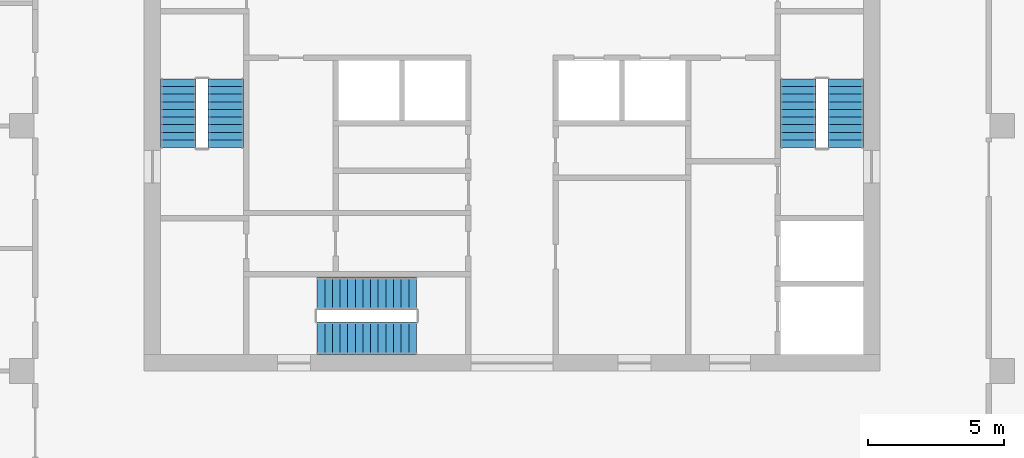
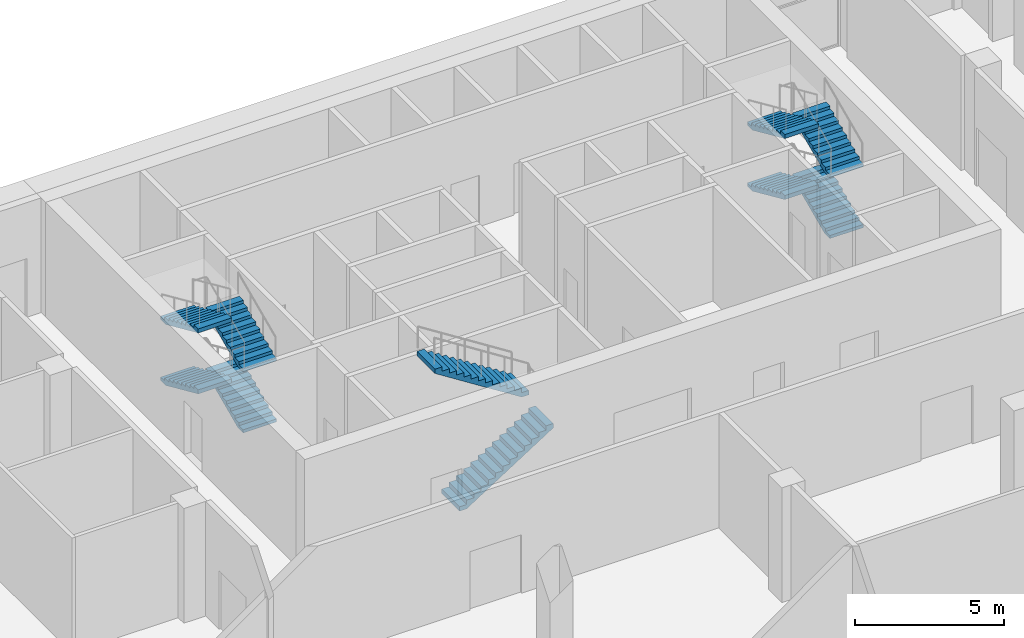
# One storey, part 10 of 14: 10 stair flights, 3 elements without a shape of their own.
"""IFC4 building model written with IfcOpenShell, lengths in metres."""

from ifc_helpers import new_model, si_unit, direction, frame, origin, place, context, subcontext, project, spatial, polyline, outline, extrude, material, type_object, element, aggregate, save


model = new_model("IFC4")

# Units and contexts
model_context = context("Model", 3, precision=1e-05, world=origin(), true_north=direction((0.0, 1.0)))
body_context = subcontext(model_context, "Body", "Model", "MODEL_VIEW")
ifc_project = project(units=[si_unit("LENGTHUNIT", "METRE"), si_unit("AREAUNIT", "SQUARE_METRE"), si_unit("VOLUMEUNIT", "CUBIC_METRE"), si_unit("PLANEANGLEUNIT", "RADIAN"), si_unit("MASSUNIT", "GRAM", prefix="KILO")], contexts=[model_context])

# Site, building, storey
site_placement = place(None, origin())
site = spatial("IfcSite", under=ifc_project, at=site_placement, CompositionType="ELEMENT")
building_placement = place(site_placement, origin())
building = spatial("IfcBuilding", under=site, at=building_placement, Name="Orbiselva Terraces", CompositionType="ELEMENT")
storey_placement = place(building_placement, frame((0.0, 0.0, 284.4)))
storey = spatial("IfcBuildingStorey", under=building, at=storey_placement, Name="L72", CompositionType="ELEMENT", Elevation=284.4)

# Stair, stair flights
ifc_material = material(Name="Concrete C40/50", Category="concrete")
stair_type_1 = type_object("IfcStairType", Name="CORE-STAIR-1200", PredefinedType="HALF_TURN_STAIR", material=ifc_material)
stair_1_placement = place(storey_placement, origin())
stair_1 = element("IfcStair", 1, at=stair_1_placement, inside=storey, type_object=stair_type_1, Name="L72 Exit Stair S3", PredefinedType="HALF_TURN_STAIR")
stair_flight_type_1 = type_object("IfcStairFlightType", Name="CORE-STAIR-FLIGHT-1200", PredefinedType="STRAIGHT", material=ifc_material)
stair_flight_1_placement = place(storey_placement, frame((-7.15, 5.7, 0.0), z_axis=(0.0, 0.0, 1.0), x_axis=(1.0, 0.0, 0.0)))
stair_flight_1 = element("IfcStairFlight", 2, at=stair_flight_1_placement, type_object=stair_flight_type_1, Name="S3 flight 1", NumberOfRisers=14, NumberOfTreads=13, PredefinedType="STRAIGHT", RiserHeight=0.178571429, TreadLength=0.28, context=body_context, shape_type="SweptSolid", body=[
    extrude(outline(polyline([(0.0, 0.0), (0.0, 0.178571), (0.28, 0.178571), (0.28, 0.357143), (0.56, 0.357143), (0.56, 0.535714), (0.84, 0.535714), (0.84, 0.714286), (1.12, 0.714286), (1.12, 0.892857), (1.4, 0.892857), (1.4, 1.071429), (1.68, 1.071429), (1.68, 1.25), (1.96, 1.25), (1.96, 1.428571), (2.24, 1.428571), (2.24, 1.607143), (2.52, 1.607143), (2.52, 1.785714), (2.8, 1.785714), (2.8, 1.964286), (3.08, 1.964286), (3.08, 2.142857), (3.36, 2.142857), (3.36, 2.321429), (3.64, 2.321429), (3.64, 2.5), (3.64, 2.14352), (0.278961, 0.0), (0.0, 0.0)])), frame((0.0, 0.6, 0.0), z_axis=(0.0, -1.0, 0.0), x_axis=(1.0, 0.0, 0.0)), (0.0, 0.0, 1.0), 1.2),
])
stair_flight_2_placement = place(storey_placement, frame((-3.51, 7.35, 2.5), z_axis=(0.0, 0.0, 1.0), x_axis=(-1.0, 0.0, 0.0)))
stair_flight_2 = element("IfcStairFlight", 3, at=stair_flight_2_placement, type_object=stair_flight_type_1, Name="S3 flight 2", NumberOfRisers=14, NumberOfTreads=13, PredefinedType="STRAIGHT", RiserHeight=0.178571429, TreadLength=0.28, context=body_context, shape_type="SweptSolid", body=[
    extrude(outline(polyline([(0.0, 0.0), (0.0, 0.178571), (0.28, 0.178571), (0.28, 0.357143), (0.56, 0.357143), (0.56, 0.535714), (0.84, 0.535714), (0.84, 0.714286), (1.12, 0.714286), (1.12, 0.892857), (1.4, 0.892857), (1.4, 1.071429), (1.68, 1.071429), (1.68, 1.25), (1.96, 1.25), (1.96, 1.428571), (2.24, 1.428571), (2.24, 1.607143), (2.52, 1.607143), (2.52, 1.785714), (2.8, 1.785714), (2.8, 1.964286), (3.08, 1.964286), (3.08, 2.142857), (3.36, 2.142857), (3.36, 2.321429), (3.64, 2.321429), (3.64, 2.5), (3.64, 2.14352), (0.278961, 0.0), (0.0, 0.0)])), frame((0.0, 0.6, 0.0), z_axis=(0.0, -1.0, 0.0), x_axis=(1.0, 0.0, 0.0)), (0.0, 0.0, 1.0), 1.2),
])
aggregate(stair_1, [stair_flight_1, stair_flight_2])

stair_type_2 = type_object("IfcStairType", Name="CORE-STAIR-1300", PredefinedType="HALF_TURN_STAIR", material=ifc_material)
stair_2_placement = place(storey_placement, origin())
stair_2 = element("IfcStair", 4, at=stair_2_placement, inside=storey, type_object=stair_type_2, Name="L72 Exit Stair S1", PredefinedType="HALF_TURN_STAIR")
stair_flight_type_2 = type_object("IfcStairFlightType", Name="CORE-STAIR-FLIGHT-1300", PredefinedType="STRAIGHT", material=ifc_material)
stair_flight_3_placement = place(storey_placement, frame((-10.5, 12.7, 0.0), z_axis=(0.0, 0.0, 1.0), x_axis=(0.0, 1.0, 0.0)))
stair_flight_3 = element("IfcStairFlight", 5, at=stair_flight_3_placement, type_object=stair_flight_type_2, Name="S1 flight 1", NumberOfRisers=10, NumberOfTreads=9, PredefinedType="STRAIGHT", RiserHeight=0.125, TreadLength=0.28, context=body_context, shape_type="SweptSolid", body=[
    extrude(outline(polyline([(0.0, 0.0), (0.0, 0.125), (0.28, 0.125), (0.28, 0.25), (0.56, 0.25), (0.56, 0.375), (0.84, 0.375), (0.84, 0.5), (1.12, 0.5), (1.12, 0.625), (1.4, 0.625), (1.4, 0.75), (1.68, 0.75), (1.68, 0.875), (1.96, 0.875), (1.96, 1.0), (2.24, 1.0), (2.24, 1.125), (2.52, 1.125), (2.52, 1.25), (2.52, 0.960731), (0.367962, 0.0), (0.0, 0.0)])), frame((0.0, 0.65, 0.0), z_axis=(0.0, -1.0, 0.0), x_axis=(1.0, 0.0, 0.0)), (0.0, 0.0, 1.0), 1.3),
])
stair_flight_4_placement = place(storey_placement, frame((-12.25, 15.22, 1.25), z_axis=(0.0, 0.0, 1.0), x_axis=(0.0, -1.0, 0.0)))
stair_flight_4 = element("IfcStairFlight", 6, at=stair_flight_4_placement, type_object=stair_flight_type_2, Name="S1 flight 2", NumberOfRisers=10, NumberOfTreads=9, PredefinedType="STRAIGHT", RiserHeight=0.125, TreadLength=0.28, context=body_context, shape_type="SweptSolid", body=[
    extrude(outline(polyline([(0.0, 0.0), (0.0, 0.125), (0.28, 0.125), (0.28, 0.25), (0.56, 0.25), (0.56, 0.375), (0.84, 0.375), (0.84, 0.5), (1.12, 0.5), (1.12, 0.625), (1.4, 0.625), (1.4, 0.75), (1.68, 0.75), (1.68, 0.875), (1.96, 0.875), (1.96, 1.0), (2.24, 1.0), (2.24, 1.125), (2.52, 1.125), (2.52, 1.25), (2.52, 0.960731), (0.367962, 0.0), (0.0, 0.0)])), frame((0.0, 0.65, 0.0), z_axis=(0.0, -1.0, 0.0), x_axis=(1.0, 0.0, 0.0)), (0.0, 0.0, 1.0), 1.3),
])
stair_flight_5_placement = place(storey_placement, frame((-10.5, 12.7, 2.5), z_axis=(0.0, 0.0, 1.0), x_axis=(0.0, 1.0, 0.0)))
stair_flight_5 = element("IfcStairFlight", 7, at=stair_flight_5_placement, type_object=stair_flight_type_2, Name="S1 flight 3", NumberOfRisers=10, NumberOfTreads=9, PredefinedType="STRAIGHT", RiserHeight=0.125, TreadLength=0.28, context=body_context, shape_type="SweptSolid", body=[
    extrude(outline(polyline([(0.0, 0.0), (0.0, 0.125), (0.28, 0.125), (0.28, 0.25), (0.56, 0.25), (0.56, 0.375), (0.84, 0.375), (0.84, 0.5), (1.12, 0.5), (1.12, 0.625), (1.4, 0.625), (1.4, 0.75), (1.68, 0.75), (1.68, 0.875), (1.96, 0.875), (1.96, 1.0), (2.24, 1.0), (2.24, 1.125), (2.52, 1.125), (2.52, 1.25), (2.52, 0.960731), (0.367962, 0.0), (0.0, 0.0)])), frame((0.0, 0.65, 0.0), z_axis=(0.0, -1.0, 0.0), x_axis=(1.0, 0.0, 0.0)), (0.0, 0.0, 1.0), 1.3),
])
stair_flight_6_placement = place(storey_placement, frame((-12.25, 15.22, 3.75), z_axis=(0.0, 0.0, 1.0), x_axis=(0.0, -1.0, 0.0)))
stair_flight_6 = element("IfcStairFlight", 8, at=stair_flight_6_placement, type_object=stair_flight_type_2, Name="S1 flight 4", NumberOfRisers=10, NumberOfTreads=9, PredefinedType="STRAIGHT", RiserHeight=0.125, TreadLength=0.28, context=body_context, shape_type="SweptSolid", body=[
    extrude(outline(polyline([(0.0, 0.0), (0.0, 0.125), (0.28, 0.125), (0.28, 0.25), (0.56, 0.25), (0.56, 0.375), (0.84, 0.375), (0.84, 0.5), (1.12, 0.5), (1.12, 0.625), (1.4, 0.625), (1.4, 0.75), (1.68, 0.75), (1.68, 0.875), (1.96, 0.875), (1.96, 1.0), (2.24, 1.0), (2.24, 1.125), (2.52, 1.125), (2.52, 1.25), (2.52, 0.960731), (0.367962, 0.0), (0.0, 0.0)])), frame((0.0, 0.65, 0.0), z_axis=(0.0, -1.0, 0.0), x_axis=(1.0, 0.0, 0.0)), (0.0, 0.0, 1.0), 1.3),
])
aggregate(stair_2, [stair_flight_3, stair_flight_4, stair_flight_5, stair_flight_6])

stair_3_placement = place(storey_placement, origin())
stair_3 = element("IfcStair", 9, at=stair_3_placement, inside=storey, type_object=stair_type_2, Name="L72 Exit Stair S2", PredefinedType="HALF_TURN_STAIR")
stair_flight_7_placement = place(storey_placement, frame((12.25, 12.7, 0.0), z_axis=(0.0, 0.0, 1.0), x_axis=(0.0, 1.0, 0.0)))
stair_flight_7 = element("IfcStairFlight", 10, at=stair_flight_7_placement, type_object=stair_flight_type_2, Name="S2 flight 1", NumberOfRisers=10, NumberOfTreads=9, PredefinedType="STRAIGHT", RiserHeight=0.125, TreadLength=0.28, context=body_context, shape_type="SweptSolid", body=[
    extrude(outline(polyline([(0.0, 0.0), (0.0, 0.125), (0.28, 0.125), (0.28, 0.25), (0.56, 0.25), (0.56, 0.375), (0.84, 0.375), (0.84, 0.5), (1.12, 0.5), (1.12, 0.625), (1.4, 0.625), (1.4, 0.75), (1.68, 0.75), (1.68, 0.875), (1.96, 0.875), (1.96, 1.0), (2.24, 1.0), (2.24, 1.125), (2.52, 1.125), (2.52, 1.25), (2.52, 0.960731), (0.367962, 0.0), (0.0, 0.0)])), frame((0.0, 0.65, 0.0), z_axis=(0.0, -1.0, 0.0), x_axis=(1.0, 0.0, 0.0)), (0.0, 0.0, 1.0), 1.3),
])
stair_flight_8_placement = place(storey_placement, frame((10.5, 15.22, 1.25), z_axis=(0.0, 0.0, 1.0), x_axis=(0.0, -1.0, 0.0)))
stair_flight_8 = element("IfcStairFlight", 11, at=stair_flight_8_placement, type_object=stair_flight_type_2, Name="S2 flight 2", NumberOfRisers=10, NumberOfTreads=9, PredefinedType="STRAIGHT", RiserHeight=0.125, TreadLength=0.28, context=body_context, shape_type="SweptSolid", body=[
    extrude(outline(polyline([(0.0, 0.0), (0.0, 0.125), (0.28, 0.125), (0.28, 0.25), (0.56, 0.25), (0.56, 0.375), (0.84, 0.375), (0.84, 0.5), (1.12, 0.5), (1.12, 0.625), (1.4, 0.625), (1.4, 0.75), (1.68, 0.75), (1.68, 0.875), (1.96, 0.875), (1.96, 1.0), (2.24, 1.0), (2.24, 1.125), (2.52, 1.125), (2.52, 1.25), (2.52, 0.960731), (0.367962, 0.0), (0.0, 0.0)])), frame((0.0, 0.65, 0.0), z_axis=(0.0, -1.0, 0.0), x_axis=(1.0, 0.0, 0.0)), (0.0, 0.0, 1.0), 1.3),
])
stair_flight_9_placement = place(storey_placement, frame((12.25, 12.7, 2.5), z_axis=(0.0, 0.0, 1.0), x_axis=(0.0, 1.0, 0.0)))
stair_flight_9 = element("IfcStairFlight", 12, at=stair_flight_9_placement, type_object=stair_flight_type_2, Name="S2 flight 3", NumberOfRisers=10, NumberOfTreads=9, PredefinedType="STRAIGHT", RiserHeight=0.125, TreadLength=0.28, context=body_context, shape_type="SweptSolid", body=[
    extrude(outline(polyline([(0.0, 0.0), (0.0, 0.125), (0.28, 0.125), (0.28, 0.25), (0.56, 0.25), (0.56, 0.375), (0.84, 0.375), (0.84, 0.5), (1.12, 0.5), (1.12, 0.625), (1.4, 0.625), (1.4, 0.75), (1.68, 0.75), (1.68, 0.875), (1.96, 0.875), (1.96, 1.0), (2.24, 1.0), (2.24, 1.125), (2.52, 1.125), (2.52, 1.25), (2.52, 0.960731), (0.367962, 0.0), (0.0, 0.0)])), frame((0.0, 0.65, 0.0), z_axis=(0.0, -1.0, 0.0), x_axis=(1.0, 0.0, 0.0)), (0.0, 0.0, 1.0), 1.3),
])
stair_flight_10_placement = place(storey_placement, frame((10.5, 15.22, 3.75), z_axis=(0.0, 0.0, 1.0), x_axis=(0.0, -1.0, 0.0)))
stair_flight_10 = element("IfcStairFlight", 13, at=stair_flight_10_placement, type_object=stair_flight_type_2, Name="S2 flight 4", NumberOfRisers=10, NumberOfTreads=9, PredefinedType="STRAIGHT", RiserHeight=0.125, TreadLength=0.28, context=body_context, shape_type="SweptSolid", body=[
    extrude(outline(polyline([(0.0, 0.0), (0.0, 0.125), (0.28, 0.125), (0.28, 0.25), (0.56, 0.25), (0.56, 0.375), (0.84, 0.375), (0.84, 0.5), (1.12, 0.5), (1.12, 0.625), (1.4, 0.625), (1.4, 0.75), (1.68, 0.75), (1.68, 0.875), (1.96, 0.875), (1.96, 1.0), (2.24, 1.0), (2.24, 1.125), (2.52, 1.125), (2.52, 1.25), (2.52, 0.960731), (0.367962, 0.0), (0.0, 0.0)])), frame((0.0, 0.65, 0.0), z_axis=(0.0, -1.0, 0.0), x_axis=(1.0, 0.0, 0.0)), (0.0, 0.0, 1.0), 1.3),
])
aggregate(stair_3, [stair_flight_7, stair_flight_8, stair_flight_9, stair_flight_10])

save(model, "model.ifc")
